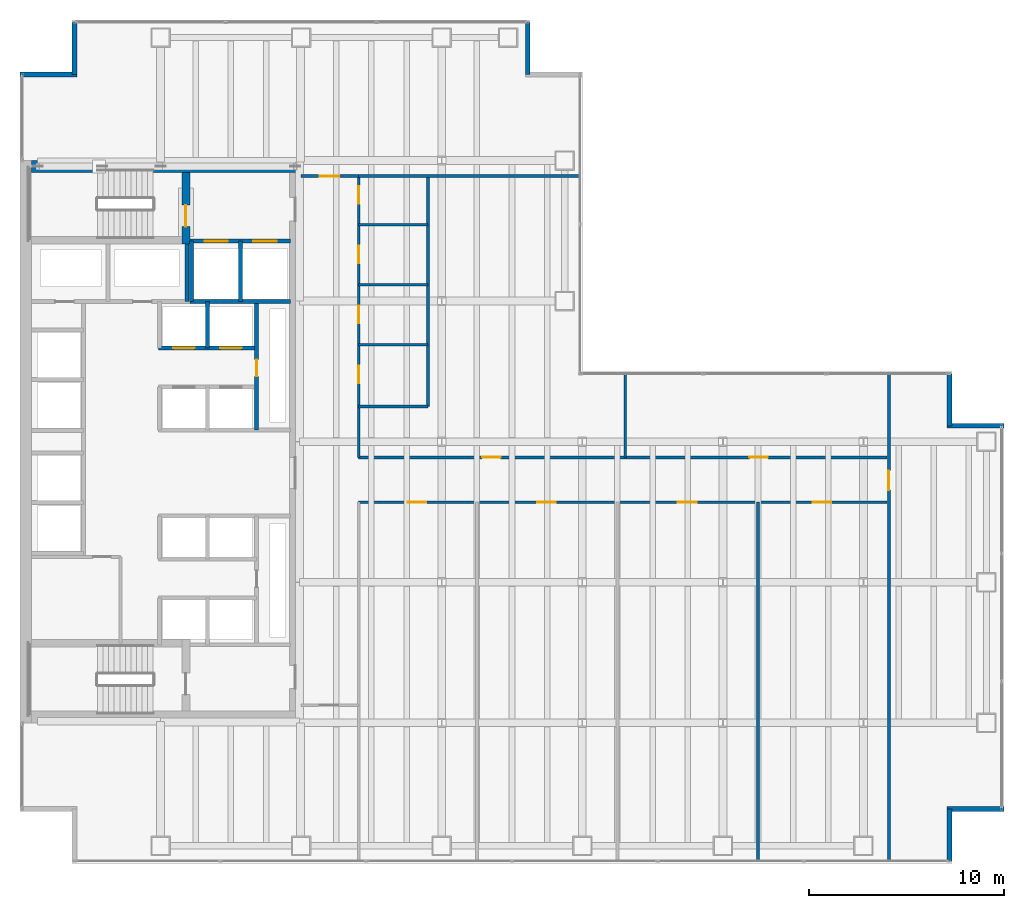
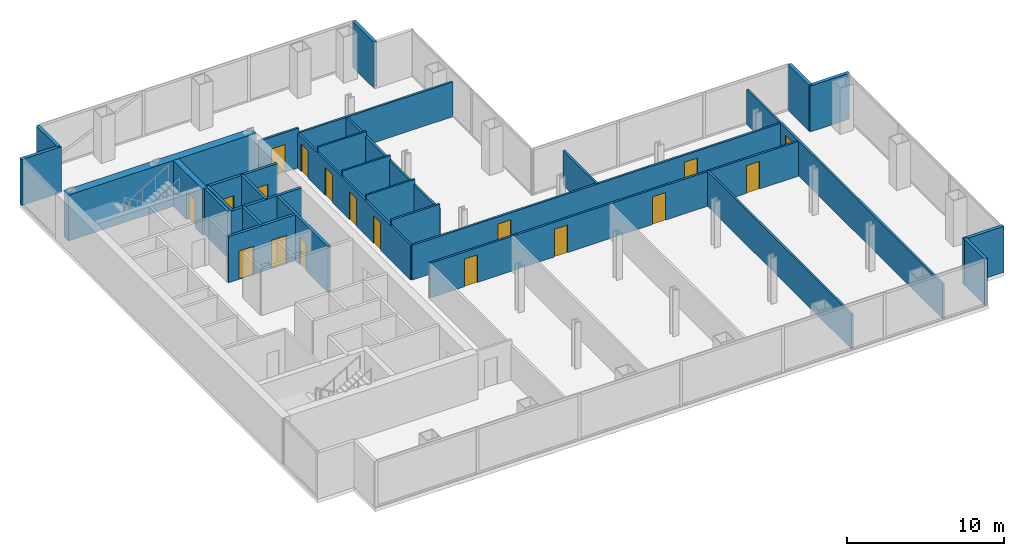
# One storey, part 21 of 23: 30 walls, 18 doors, 18 openings.
"""IFC4 building model written with IfcOpenShell, lengths in metres."""

from ifc_helpers import new_model, si_unit, direction, frame, frame_2d, origin, place, context, subcontext, project, spatial, rectangle, extrude, material, layer, layer_set, type_object, element, fill, save


model = new_model("IFC4")

# Units and contexts
model_context = context("Model", 3, precision=1e-05, world=origin(), true_north=direction((0.0, 1.0)))
body_context = subcontext(model_context, "Body", "Model", "MODEL_VIEW")
ifc_project = project(units=[si_unit("LENGTHUNIT", "METRE"), si_unit("AREAUNIT", "SQUARE_METRE"), si_unit("VOLUMEUNIT", "CUBIC_METRE"), si_unit("PLANEANGLEUNIT", "RADIAN"), si_unit("MASSUNIT", "GRAM", prefix="KILO")], contexts=[model_context])

# Site, building, storey
site_placement = place(None, origin())
site = spatial("IfcSite", under=ifc_project, at=site_placement, CompositionType="ELEMENT")
building_placement = place(site_placement, origin())
building = spatial("IfcBuilding", under=site, at=building_placement, Name="Cobrela Telecom Tower", CompositionType="ELEMENT")
storey_placement = place(building_placement, frame((0.0, 0.0, 54.25)))
storey = spatial("IfcBuildingStorey", under=building, at=storey_placement, Name="L13", CompositionType="ELEMENT", Elevation=54.25)

# Walls
ifc_material_1 = material(Name="Concrete C50/60", Category="concrete")
ifc_layer_1 = layer(ifc_material_1, 0.60009765625)
ifc_layer_set_1 = layer_set([ifc_layer_1], Name="Concrete C50/60")
wall_type_1 = type_object("IfcWallType", Name="WALL-CORE-C50-600", PredefinedType="SHEAR", material=ifc_layer_set_1)
wall_1_placement = place(storey_placement, frame((0.60009765625, 35.699951171875, 0.0), z_axis=(0.0, 0.0, 1.0), x_axis=(1.0, 0.0, 0.0)))
element("IfcWall", 1, at=wall_1_placement, inside=storey, type_object=wall_type_1, Name="L13 North Core Shear Wall", PredefinedType="SHEAR", context=body_context, shape_type="SweptSolid", body=[
    extrude(rectangle(XDim=13.7998046875, YDim=0.60009765625, at=frame_2d((6.89990234375, 0.0))), origin(), (0.0, 0.0, 1.0), 3.570068359375),
])
ifc_material_2 = material(Name="Concrete C40/50", Category="concrete")
ifc_layer_2 = layer(ifc_material_2, 0.239990234375)
ifc_layer_set_2 = layer_set([ifc_layer_2], Name="Concrete C40/50")
wall_type_2 = type_object("IfcWallType", Name="WALL-EXT-300", PredefinedType="STANDARD", material=ifc_layer_set_2)
wall_2_placement = place(storey_placement, frame((0.0, 40.409912109375, 0.0), z_axis=(0.0, 0.0, 1.0), x_axis=(1.0, 0.0, 0.0)))
element("IfcWall", 2, at=wall_2_placement, inside=storey, type_object=wall_type_2, Name="L13 Insulated Facade Wall 05", PredefinedType="STANDARD", context=body_context, shape_type="SweptSolid", body=[
    extrude(rectangle(XDim=2.909912109375, YDim=0.239990234375, at=frame_2d((1.455078125, 0.0))), origin(), (0.0, 0.0, 1.0), 3.570068359375),
])
for number, where, z_axis, x_axis, name in (
    (3, (2.7900390625, 40.409912109375, 0.0), (0.0, 0.0, 1.0), (0.0, 1.0, 0.0), "L13 Insulated Facade Wall 06"),
    (4, (26.010009765625, 43.080078125, 0.0), (0.0, 0.0, 1.0), (0.0, -1.0, 0.0), "L13 Insulated Facade Wall 08"),
    (5, (47.610107421875, 25.080078125, 0.0), (0.0, 0.0, 1.0), (0.0, -1.0, 0.0), "L13 Insulated Facade Wall 12"),
):
    element("IfcWall", number, at=place(storey_placement, frame(where, z_axis=z_axis, x_axis=x_axis)), inside=storey, type_object=wall_type_2, Name=name, PredefinedType="STANDARD", context=body_context, shape_type="SweptSolid", body=[
        extrude(rectangle(XDim=2.670166015625, YDim=0.239990234375, at=frame_2d((1.3349609375, 0.0))), origin(), (0.0, 0.0, 1.0), 3.570068359375),
    ])
for number, where, z_axis, x_axis, name in (
    (6, (47.489990234375, 22.409912109375, 0.0), (0.0, 0.0, 1.0), (1.0, 0.0, 0.0), "L13 Insulated Facade Wall 13"),
    (7, (50.39990234375, 2.7900390625, 0.0), (0.0, 0.0, 1.0), (-1.0, 0.0, 0.0), "L13 Insulated Facade Wall 15"),
):
    element("IfcWall", number, at=place(storey_placement, frame(where, z_axis=z_axis, x_axis=x_axis)), inside=storey, type_object=wall_type_2, Name=name, PredefinedType="STANDARD", context=body_context, shape_type="SweptSolid", body=[
        extrude(rectangle(XDim=2.909912109375, YDim=0.239990234375, at=frame_2d((1.455078125, 0.0))), origin(), (0.0, 0.0, 1.0), 3.570068359375),
    ])
wall_3_placement = place(storey_placement, frame((47.610107421875, 2.7900390625, 0.0), z_axis=(0.0, 0.0, 1.0), x_axis=(0.0, -1.0, 0.0)))
element("IfcWall", 8, at=wall_3_placement, inside=storey, type_object=wall_type_2, Name="L13 Insulated Facade Wall 16", PredefinedType="STANDARD", context=body_context, shape_type="SweptSolid", body=[
    extrude(rectangle(XDim=2.669921875, YDim=0.239990234375, at=frame_2d((1.3349609375, 0.0))), origin(), (0.0, 0.0, 1.0), 3.570068359375),
])
ifc_material_3 = material(Name="Fire-Rated Gypsum Plasterboard")
ifc_layer_3 = layer(ifc_material_3, 0.125)
ifc_layer_set_3 = layer_set([ifc_layer_3], Name="Fire-Rated Gypsum Plasterboard")
wall_type_3 = type_object("IfcWallType", Name="WALL-PART-125", PredefinedType="PARTITIONING", material=ifc_layer_set_3)
for number, where, z_axis, x_axis, name in (
    (9, (17.35009765625, 26.570068359375, 0.0), (0.0, 0.0, 1.0), (1.0, 0.0, 0.0), "L13 Interior Partition W-WCD-1"),
    (10, (17.35009765625, 29.639892578125, 0.0), (0.0, 0.0, 1.0), (1.0, 0.0, 0.0), "L13 Interior Partition W-WCD-2"),
    (11, (17.35009765625, 32.7099609375, 0.0), (0.0, 0.0, 1.0), (1.0, 0.0, 0.0), "L13 Interior Partition W-WCD-3"),
):
    element("IfcWall", number, at=place(storey_placement, frame(where, z_axis=z_axis, x_axis=x_axis)), inside=storey, type_object=wall_type_3, Name=name, PredefinedType="PARTITIONING", context=body_context, shape_type="SweptSolid", body=[
        extrude(rectangle(XDim=3.5498046875, YDim=0.125, at=frame_2d((1.77490234375, 0.0))), origin(), (0.0, 0.0, 1.0), 3.087890625),
    ])

# Wall, opening, door
ifc_layer_4 = layer(ifc_material_3, 0.14990234375)
ifc_layer_set_4 = layer_set([ifc_layer_4], Name="Fire-Rated Gypsum Plasterboard")
wall_type_4 = type_object("IfcWallType", Name="WALL-PART-150", PredefinedType="PARTITIONING", material=ifc_layer_set_4)
wall_4_placement = place(storey_placement, frame((14.39990234375, 35.199951171875, 0.0), z_axis=(0.0, 0.0, 1.0), x_axis=(1.0, 0.0, 0.0)))
wall_4 = element("IfcWall", 12, at=wall_4_placement, inside=storey, type_object=wall_type_4, Name="L13 Interior Partition W-C-N0", PredefinedType="PARTITIONING", context=body_context, shape_type="SweptSolid", body=[
    extrude(rectangle(XDim=2.9501953125, YDim=0.14990234375, at=frame_2d((1.47509765625, 0.0))), origin(), (0.0, 0.0, 1.0), 3.087890625),
])
opening_1_placement = place(wall_4_placement, frame((0.949951171875, 0.0, 0.0)))
opening_1 = element("IfcOpeningElement", 13, at=opening_1_placement, cuts=wall_4, Name="Opening DR-31", PredefinedType="OPENING", context=body_context, shape_type="SweptSolid", body=[
    extrude(rectangle(XDim=1.0, YDim=2.14990234375, at=frame_2d((0.5, 1.074951171875))), frame((0.0, 0.0869140625, 0.0), z_axis=(0.0, -1.0, 0.0), x_axis=(1.0, 0.0, 0.0)), (0.0, 0.0, 1.0), 0.173828125),
])
ifc_material_4 = material(Name="Solid Engineered Oak Timber", Category="wood")
door_type_1 = type_object("IfcDoorType", Name="DOOR-INT-1000", OperationType="SINGLE_SWING_LEFT", PredefinedType="DOOR", material=ifc_material_4)
door_1_placement = place(opening_1_placement, origin())
door_1 = element("IfcDoor", 14, at=door_1_placement, inside=storey, type_object=door_type_1, Name="L13 Door DR-31", OperationType="SINGLE_SWING_LEFT", OverallHeight=2.14990234375, OverallWidth=1.0, PredefinedType="DOOR", context=body_context, shape_type="SweptSolid", body=[
    extrude(rectangle(XDim=1.0, YDim=2.14990234375, at=frame_2d((0.5, 1.074951171875))), frame((0.0, 0.02490234375, 0.0), z_axis=(0.0, -1.0, 0.0), x_axis=(1.0, 0.0, 0.0)), (0.0, 0.0, 1.0), 0.050048828125),
])
fill(opening_1, door_1)

# Wall, openings, doors
wall_5_placement = place(storey_placement, frame((17.35009765625, 20.800048828125, 0.0), z_axis=(0.0, 0.0, 1.0), x_axis=(0.0, 1.0, 0.0)))
wall_5 = element("IfcWall", 15, at=wall_5_placement, inside=storey, type_object=wall_type_4, Name="L13 Interior Partition W-C-E2", PredefinedType="PARTITIONING", context=body_context, shape_type="SweptSolid", body=[
    extrude(rectangle(XDim=14.39990234375, YDim=0.14990234375, at=frame_2d((7.199951171875, 0.0))), origin(), (0.0, 0.0, 1.0), 2.698974609375),
])
opening_2_placement = place(wall_5_placement, frame((3.7900390625, 0.0, 0.0)))
opening_2 = element("IfcOpeningElement", 16, at=opening_2_placement, cuts=wall_5, Name="Opening DR-41", PredefinedType="OPENING", context=body_context, shape_type="SweptSolid", body=[
    extrude(rectangle(XDim=0.89990234375, YDim=2.14990234375, at=frame_2d((0.449951171875, 1.074951171875))), frame((0.0, 0.0869140625, 0.0), z_axis=(0.0, -1.0, 0.0), x_axis=(1.0, 0.0, 0.0)), (0.0, 0.0, 1.0), 0.173828125),
])
opening_3_placement = place(wall_5_placement, frame((6.860107421875, 0.0, 0.0)))
opening_3 = element("IfcOpeningElement", 17, at=opening_3_placement, cuts=wall_5, Name="Opening DR-41", PredefinedType="OPENING", context=body_context, shape_type="SweptSolid", body=[
    extrude(rectangle(XDim=0.89990234375, YDim=2.14990234375, at=frame_2d((0.449951171875, 1.074951171875))), frame((0.0, 0.0869140625, 0.0), z_axis=(0.0, -1.0, 0.0), x_axis=(1.0, 0.0, 0.0)), (0.0, 0.0, 1.0), 0.173828125),
])
opening_4_placement = place(wall_5_placement, frame((9.929931640625, 0.0, 0.0)))
opening_4 = element("IfcOpeningElement", 18, at=opening_4_placement, cuts=wall_5, Name="Opening DR-41", PredefinedType="OPENING", context=body_context, shape_type="SweptSolid", body=[
    extrude(rectangle(XDim=0.89990234375, YDim=2.14990234375, at=frame_2d((0.449951171875, 1.074951171875))), frame((0.0, 0.0869140625, 0.0), z_axis=(0.0, -1.0, 0.0), x_axis=(1.0, 0.0, 0.0)), (0.0, 0.0, 1.0), 0.173828125),
])
opening_5_placement = place(wall_5_placement, frame((12.989990234375, 0.0, 0.0)))
opening_5 = element("IfcOpeningElement", 19, at=opening_5_placement, cuts=wall_5, Name="Opening DR-41", PredefinedType="OPENING", context=body_context, shape_type="SweptSolid", body=[
    extrude(rectangle(XDim=0.89990234375, YDim=2.14990234375, at=frame_2d((0.449951171875, 1.074951171875))), frame((0.0, 0.0869140625, 0.0), z_axis=(0.0, -1.0, 0.0), x_axis=(1.0, 0.0, 0.0)), (0.0, 0.0, 1.0), 0.173828125),
])
door_type_2 = type_object("IfcDoorType", Name="DOOR-INT-900", OperationType="SINGLE_SWING_LEFT", PredefinedType="DOOR", material=ifc_material_4)
door_2_placement = place(opening_2_placement, origin())
door_2 = element("IfcDoor", 20, at=door_2_placement, inside=storey, type_object=door_type_2, Name="L13 Door DR-41", OperationType="SINGLE_SWING_LEFT", OverallHeight=2.14990234375, OverallWidth=0.89990234375, PredefinedType="DOOR", context=body_context, shape_type="SweptSolid", body=[
    extrude(rectangle(XDim=0.89990234375, YDim=2.14990234375, at=frame_2d((0.449951171875, 1.074951171875))), frame((0.0, 0.02490234375, 0.0), z_axis=(0.0, -1.0, 0.0), x_axis=(1.0, 0.0, 0.0)), (0.0, 0.0, 1.0), 0.050048828125),
])
fill(opening_2, door_2)
door_3_placement = place(opening_3_placement, origin())
door_3 = element("IfcDoor", 21, at=door_3_placement, inside=storey, type_object=door_type_2, Name="L13 Door DR-41", OperationType="SINGLE_SWING_RIGHT", OverallHeight=2.14990234375, OverallWidth=0.89990234375, PredefinedType="DOOR", context=body_context, shape_type="SweptSolid", body=[
    extrude(rectangle(XDim=0.89990234375, YDim=2.14990234375, at=frame_2d((0.449951171875, 1.074951171875))), frame((0.0, 0.02490234375, 0.0), z_axis=(0.0, -1.0, 0.0), x_axis=(1.0, 0.0, 0.0)), (0.0, 0.0, 1.0), 0.050048828125),
])
fill(opening_3, door_3)
door_4_placement = place(opening_4_placement, origin())
door_4 = element("IfcDoor", 22, at=door_4_placement, inside=storey, type_object=door_type_2, Name="L13 Door DR-41", OperationType="SINGLE_SWING_LEFT", OverallHeight=2.14990234375, OverallWidth=0.89990234375, PredefinedType="DOOR", context=body_context, shape_type="SweptSolid", body=[
    extrude(rectangle(XDim=0.89990234375, YDim=2.14990234375, at=frame_2d((0.449951171875, 1.074951171875))), frame((0.0, 0.02490234375, 0.0), z_axis=(0.0, -1.0, 0.0), x_axis=(1.0, 0.0, 0.0)), (0.0, 0.0, 1.0), 0.050048828125),
])
fill(opening_4, door_4)
door_5_placement = place(opening_5_placement, origin())
door_5 = element("IfcDoor", 23, at=door_5_placement, inside=storey, type_object=door_type_2, Name="L13 Door DR-41", OperationType="SINGLE_SWING_RIGHT", OverallHeight=2.14990234375, OverallWidth=0.89990234375, PredefinedType="DOOR", context=body_context, shape_type="SweptSolid", body=[
    extrude(rectangle(XDim=0.89990234375, YDim=2.14990234375, at=frame_2d((0.449951171875, 1.074951171875))), frame((0.0, 0.02490234375, 0.0), z_axis=(0.0, -1.0, 0.0), x_axis=(1.0, 0.0, 0.0)), (0.0, 0.0, 1.0), 0.050048828125),
])
fill(opening_5, door_5)

wall_6_placement = place(storey_placement, frame((17.35009765625, 18.5, 0.0), z_axis=(0.0, 0.0, 1.0), x_axis=(1.0, 0.0, 0.0)))
wall_6 = element("IfcWall", 24, at=wall_6_placement, inside=storey, type_object=wall_type_4, Name="L13 Interior Partition W-C-HS", PredefinedType="PARTITIONING", context=body_context, shape_type="SweptSolid", body=[
    extrude(rectangle(XDim=27.0498046875, YDim=0.14990234375, at=frame_2d((13.52490234375, 0.0))), origin(), (0.0, 0.0, 1.0), 2.698974609375),
])
opening_6_placement = place(wall_6_placement, frame((2.52001953125, 0.0, 0.0)))
opening_6 = element("IfcOpeningElement", 25, at=opening_6_placement, cuts=wall_6, Name="Opening DR-67", PredefinedType="OPENING", context=body_context, shape_type="SweptSolid", body=[
    extrude(rectangle(XDim=0.949951171875, YDim=2.14990234375, at=frame_2d((0.47509765625, 1.074951171875))), frame((0.0, 0.0869140625, 0.0), z_axis=(0.0, -1.0, 0.0), x_axis=(1.0, 0.0, 0.0)), (0.0, 0.0, 1.0), 0.173828125),
])
opening_7_placement = place(wall_6_placement, frame((9.14990234375, 0.0, 0.0)))
opening_7 = element("IfcOpeningElement", 26, at=opening_7_placement, cuts=wall_6, Name="Opening DR-67", PredefinedType="OPENING", context=body_context, shape_type="SweptSolid", body=[
    extrude(rectangle(XDim=0.949951171875, YDim=2.14990234375, at=frame_2d((0.47509765625, 1.074951171875))), frame((0.0, 0.0869140625, 0.0), z_axis=(0.0, -1.0, 0.0), x_axis=(1.0, 0.0, 0.0)), (0.0, 0.0, 1.0), 0.173828125),
])
opening_8_placement = place(wall_6_placement, frame((16.35009765625, 0.0, 0.0)))
opening_8 = element("IfcOpeningElement", 27, at=opening_8_placement, cuts=wall_6, Name="Opening DR-67", PredefinedType="OPENING", context=body_context, shape_type="SweptSolid", body=[
    extrude(rectangle(XDim=0.949951171875, YDim=2.14990234375, at=frame_2d((0.47509765625, 1.074951171875))), frame((0.0, 0.0869140625, 0.0), z_axis=(0.0, -1.0, 0.0), x_axis=(1.0, 0.0, 0.0)), (0.0, 0.0, 1.0), 0.173828125),
])
opening_9_placement = place(wall_6_placement, frame((23.25, 0.0, 0.0)))
opening_9 = element("IfcOpeningElement", 28, at=opening_9_placement, cuts=wall_6, Name="Opening DR-67", PredefinedType="OPENING", context=body_context, shape_type="SweptSolid", body=[
    extrude(rectangle(XDim=0.949951171875, YDim=2.14990234375, at=frame_2d((0.47509765625, 1.074951171875))), frame((0.0, 0.0869140625, 0.0), z_axis=(0.0, -1.0, 0.0), x_axis=(1.0, 0.0, 0.0)), (0.0, 0.0, 1.0), 0.173828125),
])
door_type_3 = type_object("IfcDoorType", Name="DOOR-INT-950", OperationType="SINGLE_SWING_LEFT", PredefinedType="DOOR", material=ifc_material_4)
door_6_placement = place(opening_6_placement, origin())
door_6 = element("IfcDoor", 29, at=door_6_placement, inside=storey, type_object=door_type_3, Name="L13 Door DR-67", OperationType="SINGLE_SWING_LEFT", OverallHeight=2.14990234375, OverallWidth=0.949951171875, PredefinedType="DOOR", context=body_context, shape_type="SweptSolid", body=[
    extrude(rectangle(XDim=0.949951171875, YDim=2.14990234375, at=frame_2d((0.47509765625, 1.074951171875))), frame((0.0, 0.02490234375, 0.0), z_axis=(0.0, -1.0, 0.0), x_axis=(1.0, 0.0, 0.0)), (0.0, 0.0, 1.0), 0.050048828125),
])
fill(opening_6, door_6)
door_7_placement = place(opening_7_placement, origin())
door_7 = element("IfcDoor", 30, at=door_7_placement, inside=storey, type_object=door_type_3, Name="L13 Door DR-67", OperationType="SINGLE_SWING_RIGHT", OverallHeight=2.14990234375, OverallWidth=0.949951171875, PredefinedType="DOOR", context=body_context, shape_type="SweptSolid", body=[
    extrude(rectangle(XDim=0.949951171875, YDim=2.14990234375, at=frame_2d((0.47509765625, 1.074951171875))), frame((0.0, 0.02490234375, 0.0), z_axis=(0.0, -1.0, 0.0), x_axis=(1.0, 0.0, 0.0)), (0.0, 0.0, 1.0), 0.050048828125),
])
fill(opening_7, door_7)
door_8_placement = place(opening_8_placement, origin())
door_8 = element("IfcDoor", 31, at=door_8_placement, inside=storey, type_object=door_type_3, Name="L13 Door DR-67", OperationType="SINGLE_SWING_LEFT", OverallHeight=2.14990234375, OverallWidth=0.949951171875, PredefinedType="DOOR", context=body_context, shape_type="SweptSolid", body=[
    extrude(rectangle(XDim=0.949951171875, YDim=2.14990234375, at=frame_2d((0.47509765625, 1.074951171875))), frame((0.0, 0.02490234375, 0.0), z_axis=(0.0, -1.0, 0.0), x_axis=(1.0, 0.0, 0.0)), (0.0, 0.0, 1.0), 0.050048828125),
])
fill(opening_8, door_8)
door_9_placement = place(opening_9_placement, origin())
door_9 = element("IfcDoor", 32, at=door_9_placement, inside=storey, type_object=door_type_3, Name="L13 Door DR-67", OperationType="SINGLE_SWING_RIGHT", OverallHeight=2.14990234375, OverallWidth=0.949951171875, PredefinedType="DOOR", context=body_context, shape_type="SweptSolid", body=[
    extrude(rectangle(XDim=0.949951171875, YDim=2.14990234375, at=frame_2d((0.47509765625, 1.074951171875))), frame((0.0, 0.02490234375, 0.0), z_axis=(0.0, -1.0, 0.0), x_axis=(1.0, 0.0, 0.0)), (0.0, 0.0, 1.0), 0.050048828125),
])
fill(opening_9, door_9)

wall_7_placement = place(storey_placement, frame((17.35009765625, 20.800048828125, 0.0), z_axis=(0.0, 0.0, 1.0), x_axis=(1.0, 0.0, 0.0)))
wall_7 = element("IfcWall", 33, at=wall_7_placement, inside=storey, type_object=wall_type_4, Name="L13 Interior Partition W-C-HN", PredefinedType="PARTITIONING", context=body_context, shape_type="SweptSolid", body=[
    extrude(rectangle(XDim=27.0498046875, YDim=0.14990234375, at=frame_2d((13.52490234375, 0.0))), origin(), (0.0, 0.0, 1.0), 2.698974609375),
])
opening_10_placement = place(wall_7_placement, frame((6.320068359375, 0.0, 0.0)))
opening_10 = element("IfcOpeningElement", 34, at=opening_10_placement, cuts=wall_7, Name="Opening DR-67", PredefinedType="OPENING", context=body_context, shape_type="SweptSolid", body=[
    extrude(rectangle(XDim=0.949951171875, YDim=2.14990234375, at=frame_2d((0.47509765625, 1.074951171875))), frame((0.0, 0.0869140625, 0.0), z_axis=(0.0, -1.0, 0.0), x_axis=(1.0, 0.0, 0.0)), (0.0, 0.0, 1.0), 0.173828125),
])
opening_11_placement = place(wall_7_placement, frame((20.010009765625, 0.0, 0.0)))
opening_11 = element("IfcOpeningElement", 35, at=opening_11_placement, cuts=wall_7, Name="Opening DR-67", PredefinedType="OPENING", context=body_context, shape_type="SweptSolid", body=[
    extrude(rectangle(XDim=0.949951171875, YDim=2.14990234375, at=frame_2d((0.47509765625, 1.074951171875))), frame((0.0, 0.0869140625, 0.0), z_axis=(0.0, -1.0, 0.0), x_axis=(1.0, 0.0, 0.0)), (0.0, 0.0, 1.0), 0.173828125),
])
door_10_placement = place(opening_10_placement, origin())
door_10 = element("IfcDoor", 36, at=door_10_placement, inside=storey, type_object=door_type_3, Name="L13 Door DR-67", OperationType="SINGLE_SWING_LEFT", OverallHeight=2.14990234375, OverallWidth=0.949951171875, PredefinedType="DOOR", context=body_context, shape_type="SweptSolid", body=[
    extrude(rectangle(XDim=0.949951171875, YDim=2.14990234375, at=frame_2d((0.47509765625, 1.074951171875))), frame((0.0, 0.02490234375, 0.0), z_axis=(0.0, -1.0, 0.0), x_axis=(1.0, 0.0, 0.0)), (0.0, 0.0, 1.0), 0.050048828125),
])
fill(opening_10, door_10)
door_11_placement = place(opening_11_placement, origin())
door_11 = element("IfcDoor", 37, at=door_11_placement, inside=storey, type_object=door_type_3, Name="L13 Door DR-67", OperationType="SINGLE_SWING_RIGHT", OverallHeight=2.14990234375, OverallWidth=0.949951171875, PredefinedType="DOOR", context=body_context, shape_type="SweptSolid", body=[
    extrude(rectangle(XDim=0.949951171875, YDim=2.14990234375, at=frame_2d((0.47509765625, 1.074951171875))), frame((0.0, 0.02490234375, 0.0), z_axis=(0.0, -1.0, 0.0), x_axis=(1.0, 0.0, 0.0)), (0.0, 0.0, 1.0), 0.050048828125),
])
fill(opening_11, door_11)

# Wall, opening, door
wall_8_placement = place(storey_placement, frame((44.5, 0.1201171875, 0.0), z_axis=(0.0, 0.0, 1.0), x_axis=(0.0, 1.0, 0.0)))
wall_8 = element("IfcWall", 38, at=wall_8_placement, inside=storey, type_object=wall_type_4, Name="L13 Interior Partition W-C-END", PredefinedType="PARTITIONING", context=body_context, shape_type="SweptSolid", body=[
    extrude(rectangle(XDim=24.9599609375, YDim=0.14990234375, at=frame_2d((12.47998046875, 0.0))), origin(), (0.0, 0.0, 1.0), 2.698974609375),
])
opening_12_placement = place(wall_8_placement, frame((19.0, 0.0, 0.0)))
opening_12 = element("IfcOpeningElement", 39, at=opening_12_placement, cuts=wall_8, Name="Opening DR-31", PredefinedType="OPENING", context=body_context, shape_type="SweptSolid", body=[
    extrude(rectangle(XDim=1.0, YDim=2.14990234375, at=frame_2d((0.5, 1.074951171875))), frame((0.0, 0.0869140625, 0.0), z_axis=(0.0, -1.0, 0.0), x_axis=(1.0, 0.0, 0.0)), (0.0, 0.0, 1.0), 0.173828125),
])
door_12_placement = place(opening_12_placement, origin())
door_12 = element("IfcDoor", 40, at=door_12_placement, inside=storey, type_object=door_type_1, Name="L13 Door DR-31", OperationType="SINGLE_SWING_LEFT", OverallHeight=2.14990234375, OverallWidth=1.0, PredefinedType="DOOR", context=body_context, shape_type="SweptSolid", body=[
    extrude(rectangle(XDim=1.0, YDim=2.14990234375, at=frame_2d((0.5, 1.074951171875))), frame((0.0, 0.02490234375, 0.0), z_axis=(0.0, -1.0, 0.0), x_axis=(1.0, 0.0, 0.0)), (0.0, 0.0, 1.0), 0.050048828125),
])
fill(opening_12, door_12)

# Walls
wall_9_placement = place(storey_placement, frame((17.35009765625, 35.199951171875, 0.0), z_axis=(0.0, 0.0, 1.0), x_axis=(1.0, 0.0, 0.0)))
element("IfcWall", 41, at=wall_9_placement, inside=storey, type_object=wall_type_4, Name="L13 Interior Partition W-NW-S", PredefinedType="PARTITIONING", context=body_context, shape_type="SweptSolid", body=[
    extrude(rectangle(XDim=11.329833984375, YDim=0.14990234375, at=frame_2d((5.6650390625, 0.0))), origin(), (0.0, 0.0, 1.0), 2.698974609375),
])
wall_10_placement = place(storey_placement, frame((17.35009765625, 23.39990234375, 0.0), z_axis=(0.0, 0.0, 1.0), x_axis=(1.0, 0.0, 0.0)))
element("IfcWall", 42, at=wall_10_placement, inside=storey, type_object=wall_type_4, Name="L13 Interior Partition W-WC-S", PredefinedType="PARTITIONING", context=body_context, shape_type="SweptSolid", body=[
    extrude(rectangle(XDim=3.5498046875, YDim=0.14990234375, at=frame_2d((1.77490234375, 0.0))), origin(), (0.0, 0.0, 1.0), 3.087890625),
])
wall_11_placement = place(storey_placement, frame((20.89990234375, 23.39990234375, 0.0), z_axis=(0.0, 0.0, 1.0), x_axis=(0.0, 1.0, 0.0)))
element("IfcWall", 43, at=wall_11_placement, inside=storey, type_object=wall_type_4, Name="L13 Interior Partition W-WC-E", PredefinedType="PARTITIONING", context=body_context, shape_type="SweptSolid", body=[
    extrude(rectangle(XDim=11.800048828125, YDim=0.14990234375, at=frame_2d((5.89990234375, 0.0))), origin(), (0.0, 0.0, 1.0), 2.698974609375),
])
wall_12_placement = place(storey_placement, frame((31.0, 20.800048828125, 0.0), z_axis=(0.0, 0.0, 1.0), x_axis=(0.0, 1.0, 0.0)))
element("IfcWall", 44, at=wall_12_placement, inside=storey, type_object=wall_type_4, Name="L13 Interior Partition W-NV-1", PredefinedType="PARTITIONING", context=body_context, shape_type="SweptSolid", body=[
    extrude(rectangle(XDim=4.25, YDim=0.14990234375, at=frame_2d((2.125, 0.0))), origin(), (0.0, 0.0, 1.0), 2.698974609375),
])
wall_13_placement = place(storey_placement, frame((37.800048828125, 0.1201171875, 0.0), z_axis=(0.0, 0.0, 1.0), x_axis=(0.0, 1.0, 0.0)))
element("IfcWall", 45, at=wall_13_placement, inside=storey, type_object=wall_type_4, Name="L13 Interior Partition W-SV-3", PredefinedType="PARTITIONING", context=body_context, shape_type="SweptSolid", body=[
    extrude(rectangle(XDim=18.3798828125, YDim=0.14990234375, at=frame_2d((9.18994140625, 0.0))), origin(), (0.0, 0.0, 1.0), 2.698974609375),
])

# Wall, openings, doors
ifc_layer_5 = layer(ifc_material_3, 0.199951171875)
ifc_layer_set_5 = layer_set([ifc_layer_5], Name="Fire-Rated Gypsum Plasterboard")
wall_type_5 = type_object("IfcWallType", Name="WALL-SHAFT-200", PredefinedType="PARTITIONING", material=ifc_layer_set_5)
wall_14_placement = place(storey_placement, frame((8.699951171875, 31.8798828125, 0.0), z_axis=(0.0, 0.0, 1.0), x_axis=(1.0, 0.0, 0.0)))
wall_14 = element("IfcWall", 46, at=wall_14_placement, inside=storey, type_object=wall_type_5, Name="L13 Shaft Enclosure CW-FFL-S", PredefinedType="PARTITIONING", context=body_context, shape_type="SweptSolid", body=[
    extrude(rectangle(XDim=5.150146484375, YDim=0.199951171875, at=frame_2d((2.5751953125, 0.0))), origin(), (0.0, 0.0, 1.0), 3.570068359375),
])
opening_13_placement = place(wall_14_placement, frame((0.75, 0.0, 0.0)))
opening_13 = element("IfcOpeningElement", 47, at=opening_13_placement, cuts=wall_14, Name="Opening LD-2", PredefinedType="OPENING", context=body_context, shape_type="SweptSolid", body=[
    extrude(rectangle(XDim=1.199951171875, YDim=2.199951171875, at=frame_2d((0.60009765625, 1.10009765625))), frame((0.0, 0.11181640625, 0.0), z_axis=(0.0, -1.0, 0.0), x_axis=(1.0, 0.0, 0.0)), (0.0, 0.0, 1.0), 0.223876953125),
])
opening_14_placement = place(wall_14_placement, frame((3.25, 0.0, 0.0)))
opening_14 = element("IfcOpeningElement", 48, at=opening_14_placement, cuts=wall_14, Name="Opening LD-2", PredefinedType="OPENING", context=body_context, shape_type="SweptSolid", body=[
    extrude(rectangle(XDim=1.199951171875, YDim=2.199951171875, at=frame_2d((0.60009765625, 1.10009765625))), frame((0.0, 0.11181640625, 0.0), z_axis=(0.0, -1.0, 0.0), x_axis=(1.0, 0.0, 0.0)), (0.0, 0.0, 1.0), 0.223876953125),
])
ifc_material_5 = material(Name="Steel ASTM A36", Category="steel")
door_type_4 = type_object("IfcDoorType", Name="DOOR-LD-FFL", OperationType="SINGLE_SWING_LEFT", PredefinedType="DOOR", material=ifc_material_5)
door_13_placement = place(opening_13_placement, origin())
door_13 = element("IfcDoor", 49, at=door_13_placement, inside=storey, type_object=door_type_4, Name="L13 Lift Landing Door LD-2", OperationType="DOUBLE_DOOR_SLIDING", OverallHeight=2.199951171875, OverallWidth=1.199951171875, PredefinedType="DOOR", context=body_context, shape_type="SweptSolid", body=[
    extrude(rectangle(XDim=1.199951171875, YDim=2.199951171875, at=frame_2d((0.60009765625, 1.10009765625))), frame((0.0, 0.02490234375, 0.0), z_axis=(0.0, -1.0, 0.0), x_axis=(1.0, 0.0, 0.0)), (0.0, 0.0, 1.0), 0.050048828125),
])
fill(opening_13, door_13)
door_14_placement = place(opening_14_placement, origin())
door_14 = element("IfcDoor", 50, at=door_14_placement, inside=storey, type_object=door_type_4, Name="L13 Lift Landing Door LD-2", OperationType="DOUBLE_DOOR_SLIDING", OverallHeight=2.199951171875, OverallWidth=1.199951171875, PredefinedType="DOOR", context=body_context, shape_type="SweptSolid", body=[
    extrude(rectangle(XDim=1.199951171875, YDim=2.199951171875, at=frame_2d((0.60009765625, 1.10009765625))), frame((0.0, 0.02490234375, 0.0), z_axis=(0.0, -1.0, 0.0), x_axis=(1.0, 0.0, 0.0)), (0.0, 0.0, 1.0), 0.050048828125),
])
fill(opening_14, door_14)

# Walls
wall_15_placement = place(storey_placement, frame((8.699951171875, 28.780029296875, 0.0), z_axis=(0.0, 0.0, 1.0), x_axis=(1.0, 0.0, 0.0)))
element("IfcWall", 51, at=wall_15_placement, inside=storey, type_object=wall_type_5, Name="L13 Shaft Enclosure CW-FFL-S2", PredefinedType="PARTITIONING", context=body_context, shape_type="SweptSolid", body=[
    extrude(rectangle(XDim=5.150146484375, YDim=0.199951171875, at=frame_2d((2.5751953125, 0.0))), origin(), (0.0, 0.0, 1.0), 3.570068359375),
])
for number, where, z_axis, x_axis, name in (
    (52, (8.780029296875, 28.780029296875, 0.0), (0.0, 0.0, 1.0), (0.0, 1.0, 0.0), "L13 Shaft Enclosure CW-FFL-W"),
    (53, (11.300048828125, 28.780029296875, 0.0), (0.0, 0.0, 1.0), (0.0, 1.0, 0.0), "L13 Shaft Enclosure CW-FFL-M"),
):
    element("IfcWall", number, at=place(storey_placement, frame(where, z_axis=z_axis, x_axis=x_axis)), inside=storey, type_object=wall_type_5, Name=name, PredefinedType="PARTITIONING", context=body_context, shape_type="SweptSolid", body=[
        extrude(rectangle(XDim=3.099853515625, YDim=0.199951171875, at=frame_2d((1.5498046875, 0.0))), origin(), (0.0, 0.0, 1.0), 3.570068359375),
    ])
wall_16_placement = place(storey_placement, frame((8.550048828125, 28.780029296875, 0.0), z_axis=(0.0, 0.0, 1.0), x_axis=(0.0, 1.0, 0.0)))
element("IfcWall", 54, at=wall_16_placement, inside=storey, type_object=wall_type_5, Name="L13 Shaft Enclosure CW-RIS-E", PredefinedType="PARTITIONING", context=body_context, shape_type="SweptSolid", body=[
    extrude(rectangle(XDim=2.93994140625, YDim=0.199951171875, at=frame_2d((1.469970703125, 0.0))), origin(), (0.0, 0.0, 1.0), 3.570068359375),
])

# Wall, openings, doors
wall_17_placement = place(storey_placement, frame((7.10009765625, 26.39990234375, 0.0), z_axis=(0.0, 0.0, 1.0), x_axis=(1.0, 0.0, 0.0)))
wall_17 = element("IfcWall", 55, at=wall_17_placement, inside=storey, type_object=wall_type_5, Name="L13 Shaft Enclosure CW-PLL-N", PredefinedType="PARTITIONING", context=body_context, shape_type="SweptSolid", body=[
    extrude(rectangle(XDim=5.02001953125, YDim=0.199951171875, at=frame_2d((2.510009765625, 0.0))), origin(), (0.0, 0.0, 1.0), 3.570068359375),
])
opening_15_placement = place(wall_17_placement, frame((0.75, 0.0, 0.0)))
opening_15 = element("IfcOpeningElement", 56, at=opening_15_placement, cuts=wall_17, Name="Opening LD-1", PredefinedType="OPENING", context=body_context, shape_type="SweptSolid", body=[
    extrude(rectangle(XDim=1.10009765625, YDim=2.199951171875, at=frame_2d((0.550048828125, 1.10009765625))), frame((0.0, 0.11181640625, 0.0), z_axis=(0.0, -1.0, 0.0), x_axis=(1.0, 0.0, 0.0)), (0.0, 0.0, 1.0), 0.223876953125),
])
opening_16_placement = place(wall_17_placement, frame((3.14990234375, 0.0, 0.0)))
opening_16 = element("IfcOpeningElement", 57, at=opening_16_placement, cuts=wall_17, Name="Opening LD-1", PredefinedType="OPENING", context=body_context, shape_type="SweptSolid", body=[
    extrude(rectangle(XDim=1.10009765625, YDim=2.199951171875, at=frame_2d((0.550048828125, 1.10009765625))), frame((0.0, 0.11181640625, 0.0), z_axis=(0.0, -1.0, 0.0), x_axis=(1.0, 0.0, 0.0)), (0.0, 0.0, 1.0), 0.223876953125),
])
door_type_5 = type_object("IfcDoorType", Name="DOOR-LD-PL", OperationType="SINGLE_SWING_LEFT", PredefinedType="DOOR", material=ifc_material_5)
door_15_placement = place(opening_15_placement, origin())
door_15 = element("IfcDoor", 58, at=door_15_placement, inside=storey, type_object=door_type_5, Name="L13 Lift Landing Door LD-1", OperationType="DOUBLE_DOOR_SLIDING", OverallHeight=2.199951171875, OverallWidth=1.10009765625, PredefinedType="DOOR", context=body_context, shape_type="SweptSolid", body=[
    extrude(rectangle(XDim=1.10009765625, YDim=2.199951171875, at=frame_2d((0.550048828125, 1.10009765625))), frame((0.0, 0.02490234375, 0.0), z_axis=(0.0, -1.0, 0.0), x_axis=(1.0, 0.0, 0.0)), (0.0, 0.0, 1.0), 0.050048828125),
])
fill(opening_15, door_15)
door_16_placement = place(opening_16_placement, origin())
door_16 = element("IfcDoor", 59, at=door_16_placement, inside=storey, type_object=door_type_5, Name="L13 Lift Landing Door LD-1", OperationType="DOUBLE_DOOR_SLIDING", OverallHeight=2.199951171875, OverallWidth=1.10009765625, PredefinedType="DOOR", context=body_context, shape_type="SweptSolid", body=[
    extrude(rectangle(XDim=1.10009765625, YDim=2.199951171875, at=frame_2d((0.550048828125, 1.10009765625))), frame((0.0, 0.02490234375, 0.0), z_axis=(0.0, -1.0, 0.0), x_axis=(1.0, 0.0, 0.0)), (0.0, 0.0, 1.0), 0.050048828125),
])
fill(opening_16, door_16)

# Wall
wall_18_placement = place(storey_placement, frame((9.60009765625, 26.39990234375, 0.0), z_axis=(0.0, 0.0, 1.0), x_axis=(0.0, 1.0, 0.0)))
element("IfcWall", 60, at=wall_18_placement, inside=storey, type_object=wall_type_5, Name="L13 Shaft Enclosure CW-PLL-V2B", PredefinedType="PARTITIONING", context=body_context, shape_type="SweptSolid", body=[
    extrude(rectangle(XDim=2.380126953125, YDim=0.199951171875, at=frame_2d((1.18994140625, 0.0))), origin(), (0.0, 0.0, 1.0), 3.570068359375),
])

# Wall, opening, door
wall_19_placement = place(storey_placement, frame((12.1201171875, 22.199951171875, 0.0), z_axis=(0.0, 0.0, 1.0), x_axis=(0.0, 1.0, 0.0)))
wall_19 = element("IfcWall", 61, at=wall_19_placement, inside=storey, type_object=wall_type_5, Name="L13 Shaft Enclosure CW-PLL-V3", PredefinedType="PARTITIONING", context=body_context, shape_type="SweptSolid", body=[
    extrude(rectangle(XDim=6.580078125, YDim=0.199951171875, at=frame_2d((3.2900390625, 0.0))), origin(), (0.0, 0.0, 1.0), 3.570068359375),
])
opening_17_placement = place(wall_19_placement, frame((2.75, 0.0, 0.0)))
opening_17 = element("IfcOpeningElement", 62, at=opening_17_placement, cuts=wall_19, Name="Opening DR-11", PredefinedType="OPENING", context=body_context, shape_type="SweptSolid", body=[
    extrude(rectangle(XDim=0.85009765625, YDim=2.14990234375, at=frame_2d((0.425048828125, 1.074951171875))), frame((0.0, 0.11181640625, 0.0), z_axis=(0.0, -1.0, 0.0), x_axis=(1.0, 0.0, 0.0)), (0.0, 0.0, 1.0), 0.223876953125),
])
door_type_6 = type_object("IfcDoorType", Name="DOOR-INT-850", OperationType="SINGLE_SWING_LEFT", PredefinedType="DOOR", material=ifc_material_4)
door_17_placement = place(opening_17_placement, origin())
door_17 = element("IfcDoor", 63, at=door_17_placement, inside=storey, type_object=door_type_6, Name="L13 Door DR-11", OperationType="SINGLE_SWING_LEFT", OverallHeight=2.14990234375, OverallWidth=0.85009765625, PredefinedType="DOOR", context=body_context, shape_type="SweptSolid", body=[
    extrude(rectangle(XDim=0.85009765625, YDim=2.14990234375, at=frame_2d((0.425048828125, 1.074951171875))), frame((0.0, 0.02490234375, 0.0), z_axis=(0.0, -1.0, 0.0), x_axis=(1.0, 0.0, 0.0)), (0.0, 0.0, 1.0), 0.050048828125),
])
fill(opening_17, door_17)

ifc_layer_6 = layer(ifc_material_2, 0.39990234375)
ifc_layer_set_6 = layer_set([ifc_layer_6], Name="Concrete C40/50")
wall_type_6 = type_object("IfcWallType", Name="WALL-SHAFT-C40-400", PredefinedType="SHEAR", material=ifc_layer_set_6)
wall_20_placement = place(storey_placement, frame((8.5, 31.719970703125, 0.0), z_axis=(0.0, 0.0, 1.0), x_axis=(0.0, 1.0, 0.0)))
wall_20 = element("IfcWall", 64, at=wall_20_placement, inside=storey, type_object=wall_type_6, Name="L13 North Stair Lobby Shear Wall", PredefinedType="SHEAR", context=body_context, shape_type="SweptSolid", body=[
    extrude(rectangle(XDim=3.679931640625, YDim=0.39990234375, at=frame_2d((1.83984375, 0.0))), origin(), (0.0, 0.0, 1.0), 3.570068359375),
])
opening_18_placement = place(wall_20_placement, frame((0.89990234375, 0.0, 0.0)))
opening_18 = element("IfcOpeningElement", 65, at=opening_18_placement, cuts=wall_20, Name="Opening DR-59", PredefinedType="OPENING", context=body_context, shape_type="SweptSolid", body=[
    extrude(rectangle(XDim=1.10009765625, YDim=2.14990234375, at=frame_2d((0.550048828125, 1.074951171875))), frame((0.0, 0.2119140625, 0.0), z_axis=(0.0, -1.0, 0.0), x_axis=(1.0, 0.0, 0.0)), (0.0, 0.0, 1.0), 0.423828125),
])
door_type_7 = type_object("IfcDoorType", Name="DOOR-FD60-1100", OperationType="SINGLE_SWING_LEFT", PredefinedType="DOOR", material=ifc_material_5)
door_18_placement = place(opening_18_placement, origin())
door_18 = element("IfcDoor", 66, at=door_18_placement, inside=storey, type_object=door_type_7, Name="L13 Door DR-59", OperationType="SINGLE_SWING_RIGHT", OverallHeight=2.14990234375, OverallWidth=1.10009765625, PredefinedType="DOOR", context=body_context, shape_type="SweptSolid", body=[
    extrude(rectangle(XDim=1.10009765625, YDim=2.14990234375, at=frame_2d((0.550048828125, 1.074951171875))), frame((0.0, 0.02490234375, 0.0), z_axis=(0.0, -1.0, 0.0), x_axis=(1.0, 0.0, 0.0)), (0.0, 0.0, 1.0), 0.050048828125),
])
fill(opening_18, door_18)

save(model, "model.ifc")
